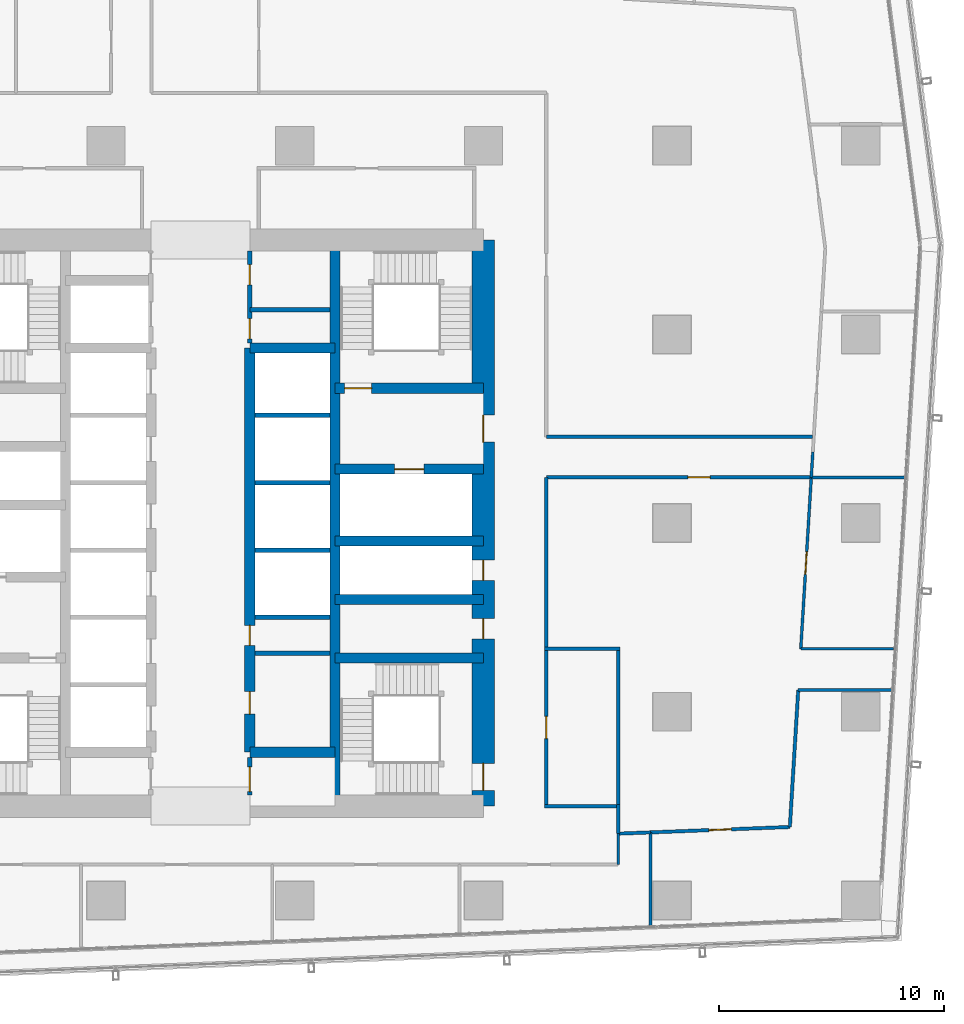
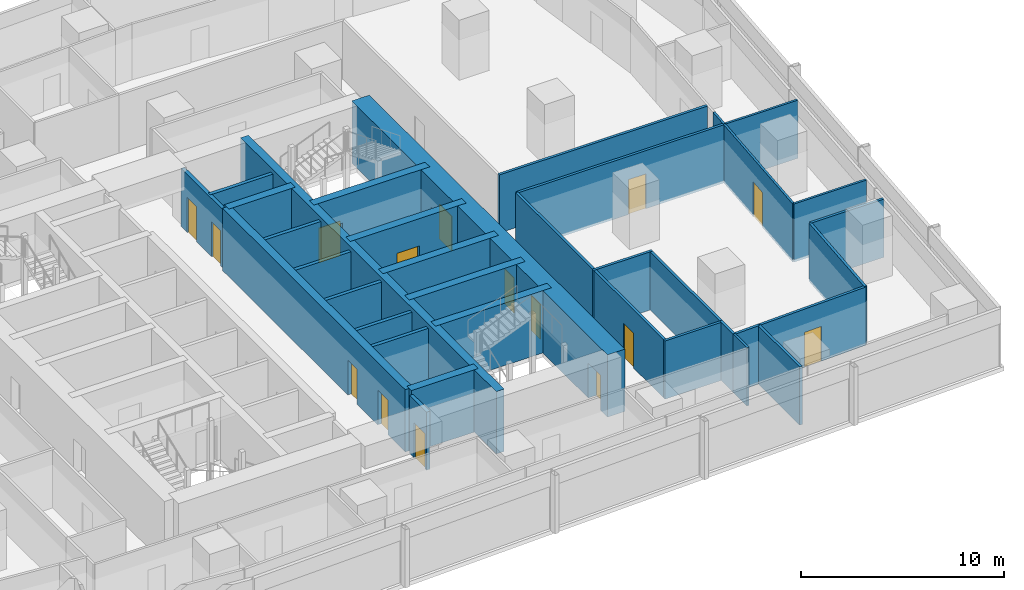
# One storey, part 30 of 40: 36 walls, 15 doors, 15 openings.
"""IFC4 building model written with IfcOpenShell, lengths in metres."""

from ifc_helpers import new_model, si_unit, direction, frame, frame_2d, origin, place, context, subcontext, project, spatial, rectangle, extrude, material, layer, layer_set, type_object, element, fill, save


model = new_model("IFC4")

# Units and contexts
model_context = context("Model", 3, precision=1e-05, world=origin(), true_north=direction((0.0, 1.0)))
body_context = subcontext(model_context, "Body", "Model", "MODEL_VIEW")
ifc_project = project(units=[si_unit("LENGTHUNIT", "METRE"), si_unit("AREAUNIT", "SQUARE_METRE"), si_unit("VOLUMEUNIT", "CUBIC_METRE"), si_unit("PLANEANGLEUNIT", "RADIAN"), si_unit("MASSUNIT", "GRAM", prefix="KILO")], contexts=[model_context])

# Site, building, storey
site_placement = place(None, origin())
site = spatial("IfcSite", under=ifc_project, at=site_placement, CompositionType="ELEMENT")
building_placement = place(site_placement, origin())
building = spatial("IfcBuilding", under=site, at=building_placement, Name="Rekha Terrace Tower", CompositionType="ELEMENT")
storey_placement = place(building_placement, frame((0.0, 0.0, 121.550048828125)))
storey = spatial("IfcBuildingStorey", under=building, at=storey_placement, Name="L30", CompositionType="ELEMENT", Elevation=121.550048828125)

# Wall
ifc_material_1 = material(Name="Concrete M70", Category="concrete")
ifc_layer_1 = layer(ifc_material_1, 0.449951171875)
ifc_layer_set_1 = layer_set([ifc_layer_1], Name="Concrete M70")
wall_type_1 = type_object("IfcWallType", Name="CI2 450 core internal shear wall", PredefinedType="SHEAR", material=ifc_layer_set_1)
wall_1_placement = place(storey_placement, frame((43.800048828125, 21.0, 0.0), z_axis=(0.0, 0.0, 1.0), x_axis=(0.0, 1.0, 0.0)))
element("IfcWall", 1, at=wall_1_placement, inside=storey, type_object=wall_type_1, Name="Core wall X438 L30", PredefinedType="SHEAR", context=body_context, shape_type="SweptSolid", body=[
    extrude(rectangle(XDim=25.199951171875, YDim=0.449951171875, at=frame_2d((12.60009765625, 0.0))), origin(), (0.0, 0.0, 1.0), 3.75),
])

# Wall, openings, doors
wall_2_placement = place(storey_placement, frame((40.0, 23.39990234375, 0.0), z_axis=(0.0, 0.0, 1.0), x_axis=(0.0, 1.0, 0.0)))
wall_2 = element("IfcWall", 2, at=wall_2_placement, inside=storey, type_object=wall_type_1, Name="Core wall X400 L30", PredefinedType="SHEAR", context=body_context, shape_type="SweptSolid", body=[
    extrude(rectangle(XDim=18.0, YDim=0.449951171875, at=frame_2d((9.0, 0.0))), origin(), (0.0, 0.0, 1.0), 3.75),
])
opening_1_placement = place(wall_2_placement, frame((1.699951171875, 0.0, 0.0)))
opening_1 = element("IfcOpeningElement", 3, at=opening_1_placement, cuts=wall_2, Name="Opening D3", PredefinedType="OPENING", context=body_context, shape_type="SweptSolid", body=[
    extrude(rectangle(XDim=1.0, YDim=2.10009765625, at=frame_2d((0.5, 1.050048828125))), frame((0.0, 0.23486328125, 0.0), z_axis=(0.0, -1.0, 0.0), x_axis=(1.0, 0.0, 0.0)), (0.0, 0.0, 1.0), 0.469970703125),
])
opening_2_placement = place(wall_2_placement, frame((4.75, 0.0, 0.0)))
opening_2 = element("IfcOpeningElement", 4, at=opening_2_placement, cuts=wall_2, Name="Opening D5", PredefinedType="OPENING", context=body_context, shape_type="SweptSolid", body=[
    extrude(rectangle(XDim=0.89990234375, YDim=2.10009765625, at=frame_2d((0.449951171875, 1.050048828125))), frame((0.0, 0.23486328125, 0.0), z_axis=(0.0, -1.0, 0.0), x_axis=(1.0, 0.0, 0.0)), (0.0, 0.0, 1.0), 0.469970703125),
])
ifc_material_2 = material(Name="Laminated timber fire door", Category="wood")
door_type_1 = type_object("IfcDoorType", Name="D3 1000x2100 WC door", OperationType="SINGLE_SWING_LEFT", PredefinedType="DOOR", material=ifc_material_2)
door_1_placement = place(opening_1_placement, origin())
door_1 = element("IfcDoor", 5, at=door_1_placement, inside=storey, type_object=door_type_1, Name="Door staff wc L30", OperationType="SINGLE_SWING_LEFT", OverallHeight=2.10009765625, OverallWidth=1.0, PredefinedType="DOOR", context=body_context, shape_type="SweptSolid", body=[
    extrude(rectangle(XDim=1.0, YDim=2.10009765625, at=frame_2d((0.5, 1.050048828125))), frame((0.0, 0.02490234375, 0.0), z_axis=(0.0, -1.0, 0.0), x_axis=(1.0, 0.0, 0.0)), (0.0, 0.0, 1.0), 0.050048828125),
])
fill(opening_1, door_1)
ifc_material_3 = material(Name="Steel fire door", Category="steel")
door_type_2 = type_object("IfcDoorType", Name="D5 900x2100 riser access door", OperationType="SINGLE_SWING_LEFT", PredefinedType="DOOR", material=ifc_material_3)
door_2_placement = place(opening_2_placement, origin())
door_2 = element("IfcDoor", 6, at=door_2_placement, inside=storey, type_object=door_type_2, Name="Door records store L30", OperationType="SINGLE_SWING_LEFT", OverallHeight=2.10009765625, OverallWidth=0.89990234375, PredefinedType="DOOR", context=body_context, shape_type="SweptSolid", body=[
    extrude(rectangle(XDim=0.89990234375, YDim=2.10009765625, at=frame_2d((0.449951171875, 1.050048828125))), frame((0.0, 0.02490234375, 0.0), z_axis=(0.0, -1.0, 0.0), x_axis=(1.0, 0.0, 0.0)), (0.0, 0.0, 1.0), 0.050048828125),
])
fill(opening_2, door_2)

# Walls
for number, where, z_axis, x_axis, name in (
    (7, (40.0, 23.39990234375, 0.0), (0.0, 0.0, 1.0), (1.0, 0.0, 0.0), "Core wall Y234E L30"),
    (8, (40.0, 41.39990234375, 0.0), (0.0, 0.0, 1.0), (1.0, 0.0, 0.0), "Core wall Y414E L30"),
):
    element("IfcWall", number, at=place(storey_placement, frame(where, z_axis=z_axis, x_axis=x_axis)), inside=storey, type_object=wall_type_1, Name=name, PredefinedType="SHEAR", context=body_context, shape_type="SweptSolid", body=[
        extrude(rectangle(XDim=3.800048828125, YDim=0.449951171875, at=frame_2d((1.89990234375, 0.0))), origin(), (0.0, 0.0, 1.0), 3.75),
    ])
for number, where, z_axis, x_axis, name in (
    (9, (43.800048828125, 27.60009765625, 0.0), (0.0, 0.0, 1.0), (1.0, 0.0, 0.0), "Core wall Y276E L30"),
    (10, (43.800048828125, 30.199951171875, 0.0), (0.0, 0.0, 1.0), (1.0, 0.0, 0.0), "Core wall Y302E L30"),
    (11, (43.800048828125, 32.800048828125, 0.0), (0.0, 0.0, 1.0), (1.0, 0.0, 0.0), "Core wall Y328E L30"),
):
    element("IfcWall", number, at=place(storey_placement, frame(where, z_axis=z_axis, x_axis=x_axis)), inside=storey, type_object=wall_type_1, Name=name, PredefinedType="SHEAR", context=body_context, shape_type="SweptSolid", body=[
        extrude(rectangle(XDim=6.599853515625, YDim=0.449951171875, at=frame_2d((3.2998046875, 0.0))), origin(), (0.0, 0.0, 1.0), 3.75),
    ])

# Wall, opening, door
wall_3_placement = place(storey_placement, frame((43.800048828125, 36.0, 0.0), z_axis=(0.0, 0.0, 1.0), x_axis=(1.0, 0.0, 0.0)))
wall_3 = element("IfcWall", 12, at=wall_3_placement, inside=storey, type_object=wall_type_1, Name="Core wall Y360E L30", PredefinedType="SHEAR", context=body_context, shape_type="SweptSolid", body=[
    extrude(rectangle(XDim=6.599853515625, YDim=0.449951171875, at=frame_2d((3.2998046875, 0.0))), origin(), (0.0, 0.0, 1.0), 3.75),
])
opening_3_placement = place(wall_3_placement, frame((2.64990234375, 0.0, 0.0)))
opening_3 = element("IfcOpeningElement", 13, at=opening_3_placement, cuts=wall_3, Name="Opening LD2", PredefinedType="OPENING", context=body_context, shape_type="SweptSolid", body=[
    extrude(rectangle(XDim=1.300048828125, YDim=2.10009765625, at=frame_2d((0.64990234375, 1.050048828125))), frame((0.0, 0.23486328125, 0.0), z_axis=(0.0, -1.0, 0.0), x_axis=(1.0, 0.0, 0.0)), (0.0, 0.0, 1.0), 0.469970703125),
])
ifc_material_4 = material(Name="Stainless steel sliding landing door", Category="steel")
door_type_3 = type_object("IfcDoorType", Name="LD2 1300x2100 fire lift landing door", OperationType="SLIDING_TO_LEFT", PredefinedType="USERDEFINED", material=ifc_material_4)
door_3_placement = place(opening_3_placement, origin())
door_3 = element("IfcDoor", 14, at=door_3_placement, inside=storey, type_object=door_type_3, Name="Lift FL2 landing door L30", ObjectType="LIFT LANDING DOOR", OperationType="SLIDING_TO_LEFT", OverallHeight=2.10009765625, OverallWidth=1.300048828125, PredefinedType="USERDEFINED", context=body_context, shape_type="SweptSolid", body=[
    extrude(rectangle(XDim=1.300048828125, YDim=2.10009765625, at=frame_2d((0.64990234375, 1.050048828125))), frame((0.0, 0.02490234375, 0.0), z_axis=(0.0, -1.0, 0.0), x_axis=(1.0, 0.0, 0.0)), (0.0, 0.0, 1.0), 0.050048828125),
])
fill(opening_3, door_3)

wall_4_placement = place(storey_placement, frame((43.800048828125, 39.60009765625, 0.0), z_axis=(0.0, 0.0, 1.0), x_axis=(1.0, 0.0, 0.0)))
wall_4 = element("IfcWall", 15, at=wall_4_placement, inside=storey, type_object=wall_type_1, Name="Core wall Y396E L30", PredefinedType="SHEAR", context=body_context, shape_type="SweptSolid", body=[
    extrude(rectangle(XDim=6.599853515625, YDim=0.449951171875, at=frame_2d((3.2998046875, 0.0))), origin(), (0.0, 0.0, 1.0), 3.75),
])
opening_4_placement = place(wall_4_placement, frame((0.425048828125, 0.0, 0.0)))
opening_4 = element("IfcOpeningElement", 16, at=opening_4_placement, cuts=wall_4, Name="Opening D1", PredefinedType="OPENING", context=body_context, shape_type="SweptSolid", body=[
    extrude(rectangle(XDim=1.199951171875, YDim=2.10009765625, at=frame_2d((0.60009765625, 1.050048828125))), frame((0.0, 0.23486328125, 0.0), z_axis=(0.0, -1.0, 0.0), x_axis=(1.0, 0.0, 0.0)), (0.0, 0.0, 1.0), 0.469970703125),
])
door_type_4 = type_object("IfcDoorType", Name="D1 1200x2100 stair fire door", OperationType="SINGLE_SWING_RIGHT", PredefinedType="DOOR", material=ifc_material_3)
door_4_placement = place(opening_4_placement, origin())
door_4 = element("IfcDoor", 17, at=door_4_placement, inside=storey, type_object=door_type_4, Name="Stair ST2 door L30", OperationType="SINGLE_SWING_RIGHT", OverallHeight=2.10009765625, OverallWidth=1.199951171875, PredefinedType="DOOR", context=body_context, shape_type="SweptSolid", body=[
    extrude(rectangle(XDim=1.199951171875, YDim=2.10009765625, at=frame_2d((0.60009765625, 1.050048828125))), frame((0.0, 0.02490234375, 0.0), z_axis=(0.0, -1.0, 0.0), x_axis=(1.0, 0.0, 0.0)), (0.0, 0.0, 1.0), 0.050048828125),
])
fill(opening_4, door_4)

# Wall, openings, doors
ifc_layer_2 = layer(ifc_material_1, 1.0)
ifc_layer_set_2 = layer_set([ifc_layer_2], Name="Concrete M70")
wall_type_2 = type_object("IfcWallType", Name="SW2 1000 core outer shear wall", PredefinedType="SHEAR", material=ifc_layer_set_2)
wall_5_placement = place(storey_placement, frame((50.39990234375, 21.0, 0.0), z_axis=(0.0, 0.0, 1.0), x_axis=(0.0, 1.0, 0.0)))
wall_5 = element("IfcWall", 18, at=wall_5_placement, inside=storey, type_object=wall_type_2, Name="Core wall E L30", PredefinedType="SHEAR", context=body_context, shape_type="SweptSolid", body=[
    extrude(rectangle(XDim=25.199951171875, YDim=1.0, at=frame_2d((12.60009765625, 0.0))), origin(), (0.0, 0.0, 1.0), 3.75),
])
opening_5_placement = place(wall_5_placement, frame((16.199951171875, 0.0, 0.0)))
opening_5 = element("IfcOpeningElement", 19, at=opening_5_placement, cuts=wall_5, Name="Opening D2", PredefinedType="OPENING", context=body_context, shape_type="SweptSolid", body=[
    extrude(rectangle(XDim=1.199951171875, YDim=2.10009765625, at=frame_2d((0.60009765625, 1.050048828125))), frame((0.0, 0.510009765625, 0.0), z_axis=(0.0, -1.0, 0.0), x_axis=(1.0, 0.0, 0.0)), (0.0, 0.0, 1.0), 1.02001953125),
])
opening_6_placement = place(wall_5_placement, frame((10.050048828125, 0.0, 0.0)))
opening_6 = element("IfcOpeningElement", 20, at=opening_6_placement, cuts=wall_5, Name="Opening D5", PredefinedType="OPENING", context=body_context, shape_type="SweptSolid", body=[
    extrude(rectangle(XDim=0.89990234375, YDim=2.10009765625, at=frame_2d((0.449951171875, 1.050048828125))), frame((0.0, 0.510009765625, 0.0), z_axis=(0.0, -1.0, 0.0), x_axis=(1.0, 0.0, 0.0)), (0.0, 0.0, 1.0), 1.02001953125),
])
opening_7_placement = place(wall_5_placement, frame((7.449951171875, 0.0, 0.0)))
opening_7 = element("IfcOpeningElement", 21, at=opening_7_placement, cuts=wall_5, Name="Opening D5", PredefinedType="OPENING", context=body_context, shape_type="SweptSolid", body=[
    extrude(rectangle(XDim=0.89990234375, YDim=2.10009765625, at=frame_2d((0.449951171875, 1.050048828125))), frame((0.0, 0.510009765625, 0.0), z_axis=(0.0, -1.0, 0.0), x_axis=(1.0, 0.0, 0.0)), (0.0, 0.0, 1.0), 1.02001953125),
])
opening_8_placement = place(wall_5_placement, frame((0.699951171875, 0.0, 0.0)))
opening_8 = element("IfcOpeningElement", 22, at=opening_8_placement, cuts=wall_5, Name="Opening D1", PredefinedType="OPENING", context=body_context, shape_type="SweptSolid", body=[
    extrude(rectangle(XDim=1.199951171875, YDim=2.10009765625, at=frame_2d((0.60009765625, 1.050048828125))), frame((0.0, 0.510009765625, 0.0), z_axis=(0.0, -1.0, 0.0), x_axis=(1.0, 0.0, 0.0)), (0.0, 0.0, 1.0), 1.02001953125),
])
door_5_placement = place(opening_8_placement, origin())
door_5 = element("IfcDoor", 23, at=door_5_placement, inside=storey, type_object=door_type_4, Name="Stair ST3 door L30", OperationType="SINGLE_SWING_RIGHT", OverallHeight=2.10009765625, OverallWidth=1.199951171875, PredefinedType="DOOR", context=body_context, shape_type="SweptSolid", body=[
    extrude(rectangle(XDim=1.199951171875, YDim=2.10009765625, at=frame_2d((0.60009765625, 1.050048828125))), frame((0.0, 0.02490234375, 0.0), z_axis=(0.0, -1.0, 0.0), x_axis=(1.0, 0.0, 0.0)), (0.0, 0.0, 1.0), 0.050048828125),
])
fill(opening_8, door_5)
door_type_5 = type_object("IfcDoorType", Name="D2 1200x2100 firefighting lobby door", OperationType="SINGLE_SWING_LEFT", PredefinedType="DOOR", material=ifc_material_3)
door_6_placement = place(opening_5_placement, origin())
door_6 = element("IfcDoor", 24, at=door_6_placement, inside=storey, type_object=door_type_5, Name="Door flb2 L30", OperationType="SINGLE_SWING_LEFT", OverallHeight=2.10009765625, OverallWidth=1.199951171875, PredefinedType="DOOR", context=body_context, shape_type="SweptSolid", body=[
    extrude(rectangle(XDim=1.199951171875, YDim=2.10009765625, at=frame_2d((0.60009765625, 1.050048828125))), frame((0.0, 0.02490234375, 0.0), z_axis=(0.0, -1.0, 0.0), x_axis=(1.0, 0.0, 0.0)), (0.0, 0.0, 1.0), 0.050048828125),
])
fill(opening_5, door_6)
door_7_placement = place(opening_6_placement, origin())
door_7 = element("IfcDoor", 25, at=door_7_placement, inside=storey, type_object=door_type_2, Name="Door rs2 L30", OperationType="SINGLE_SWING_LEFT", OverallHeight=2.10009765625, OverallWidth=0.89990234375, PredefinedType="DOOR", context=body_context, shape_type="SweptSolid", body=[
    extrude(rectangle(XDim=0.89990234375, YDim=2.10009765625, at=frame_2d((0.449951171875, 1.050048828125))), frame((0.0, 0.02490234375, 0.0), z_axis=(0.0, -1.0, 0.0), x_axis=(1.0, 0.0, 0.0)), (0.0, 0.0, 1.0), 0.050048828125),
])
fill(opening_6, door_7)
door_8_placement = place(opening_7_placement, origin())
door_8 = element("IfcDoor", 26, at=door_8_placement, inside=storey, type_object=door_type_2, Name="Door ele L30", OperationType="SINGLE_SWING_LEFT", OverallHeight=2.10009765625, OverallWidth=0.89990234375, PredefinedType="DOOR", context=body_context, shape_type="SweptSolid", body=[
    extrude(rectangle(XDim=0.89990234375, YDim=2.10009765625, at=frame_2d((0.449951171875, 1.050048828125))), frame((0.0, 0.02490234375, 0.0), z_axis=(0.0, -1.0, 0.0), x_axis=(1.0, 0.0, 0.0)), (0.0, 0.0, 1.0), 0.050048828125),
])
fill(opening_7, door_8)

# Walls
ifc_material_5 = material(Name="Concrete block masonry, 1 hour", Category="masonry")
ifc_layer_3 = layer(ifc_material_5, 0.14990234375)
ifc_layer_set_3 = layer_set([ifc_layer_3], Name="Concrete block masonry, 1 hour")
wall_type_3 = type_object("IfcWallType", Name="WP2 150 tenancy partition", PredefinedType="PARTITIONING", material=ifc_layer_set_3)
for number, where, z_axis, x_axis, name in (
    (27, (53.125, 21.0, 0.0), (0.0, 0.0, 1.0), (1.0, 0.0, 0.0), "Men's WC wall L30"),
    (28, (53.125, 28.0, 0.0), (0.0, 0.0, 1.0), (1.0, 0.0, 0.0), "Men's WC wall L30"),
):
    element("IfcWall", number, at=place(storey_placement, frame(where, z_axis=z_axis, x_axis=x_axis)), inside=storey, type_object=wall_type_3, Name=name, PredefinedType="PARTITIONING", context=body_context, shape_type="SweptSolid", body=[
        extrude(rectangle(XDim=3.35009765625, YDim=0.14990234375, at=frame_2d((1.675048828125, 0.0))), origin(), (0.0, 0.0, 1.0), 3.5),
    ])

# Wall, opening, door
wall_6_placement = place(storey_placement, frame((53.199951171875, 21.074951171875, 0.0), z_axis=(0.0, 0.0, 1.0), x_axis=(0.0, 1.0, 0.0)))
wall_6 = element("IfcWall", 29, at=wall_6_placement, inside=storey, type_object=wall_type_3, Name="Men's WC wall L30", PredefinedType="PARTITIONING", context=body_context, shape_type="SweptSolid", body=[
    extrude(rectangle(XDim=6.85009765625, YDim=0.14990234375, at=frame_2d((3.425048828125, 0.0))), origin(), (0.0, 0.0, 1.0), 3.5),
])
opening_9_placement = place(wall_6_placement, frame((2.925048828125, 0.0, 0.0)))
opening_9 = element("IfcOpeningElement", 30, at=opening_9_placement, cuts=wall_6, Name="Opening D3", PredefinedType="OPENING", context=body_context, shape_type="SweptSolid", body=[
    extrude(rectangle(XDim=1.0, YDim=2.10009765625, at=frame_2d((0.5, 1.050048828125))), frame((0.0, 0.0849609375, 0.0), z_axis=(0.0, -1.0, 0.0), x_axis=(1.0, 0.0, 0.0)), (0.0, 0.0, 1.0), 0.169921875),
])
door_9_placement = place(opening_9_placement, origin())
door_9 = element("IfcDoor", 31, at=door_9_placement, inside=storey, type_object=door_type_1, Name="Door men's wc L30", OperationType="SINGLE_SWING_LEFT", OverallHeight=2.10009765625, OverallWidth=1.0, PredefinedType="DOOR", context=body_context, shape_type="SweptSolid", body=[
    extrude(rectangle(XDim=1.0, YDim=2.10009765625, at=frame_2d((0.5, 1.050048828125))), frame((0.0, 0.02490234375, 0.0), z_axis=(0.0, -1.0, 0.0), x_axis=(1.0, 0.0, 0.0)), (0.0, 0.0, 1.0), 0.050048828125),
])
fill(opening_9, door_9)

# Walls
wall_7_placement = place(storey_placement, frame((56.39990234375, 21.074951171875, 0.0), z_axis=(0.0, 0.0, 1.0), x_axis=(0.0, 1.0, 0.0)))
element("IfcWall", 32, at=wall_7_placement, inside=storey, type_object=wall_type_3, Name="Men's WC wall L30", PredefinedType="PARTITIONING", context=body_context, shape_type="SweptSolid", body=[
    extrude(rectangle(XDim=6.85009765625, YDim=0.14990234375, at=frame_2d((3.425048828125, 0.0))), origin(), (0.0, 0.0, 1.0), 3.5),
])
wall_8_placement = place(storey_placement, frame((65.04296875, 37.43701171875, 0.0), z_axis=(0.0, 0.0, 1.0), x_axis=(-1.0, 0.0, 0.0)))
element("IfcWall", 33, at=wall_8_placement, inside=storey, type_object=wall_type_3, Name="Partition L30-O1", PredefinedType="PARTITIONING", context=body_context, shape_type="SweptSolid", body=[
    extrude(rectangle(XDim=11.843017578125, YDim=0.14990234375, at=frame_2d((5.92138671875, 0.0))), origin(), (0.0, 0.0, 1.0), 3.5),
])
wall_9_placement = place(storey_placement, frame((53.199951171875, 28.074951171875, 0.0), z_axis=(0.0, 0.0, 1.0), x_axis=(0.0, 1.0, 0.0)))
element("IfcWall", 34, at=wall_9_placement, inside=storey, type_object=wall_type_3, Name="Partition L30-O1b", PredefinedType="PARTITIONING", context=body_context, shape_type="SweptSolid", body=[
    extrude(rectangle(XDim=7.56201171875, YDim=0.14990234375, at=frame_2d((3.781005859375, 0.0))), origin(), (0.0, 0.0, 1.0), 3.5),
])

# Wall, opening, door
wall_10_placement = place(storey_placement, frame((53.199951171875, 35.636962890625, 0.0), z_axis=(0.0, 0.0, 1.0), x_axis=(1.0, 0.0, 0.0)))
wall_10 = element("IfcWall", 35, at=wall_10_placement, inside=storey, type_object=wall_type_3, Name="Partition L30-O1b", PredefinedType="PARTITIONING", context=body_context, shape_type="SweptSolid", body=[
    extrude(rectangle(XDim=11.74609375, YDim=0.14990234375, at=frame_2d((5.873046875, 0.0))), origin(), (0.0, 0.0, 1.0), 3.5),
])
opening_10_placement = place(wall_10_placement, frame((6.297119140625, 0.0, 0.0)))
opening_10 = element("IfcOpeningElement", 36, at=opening_10_placement, cuts=wall_10, Name="Opening D9", PredefinedType="OPENING", context=body_context, shape_type="SweptSolid", body=[
    extrude(rectangle(XDim=1.0, YDim=2.10009765625, at=frame_2d((0.5, 1.050048828125))), frame((0.0, 0.0849609375, 0.0), z_axis=(0.0, -1.0, 0.0), x_axis=(1.0, 0.0, 0.0)), (0.0, 0.0, 1.0), 0.169921875),
])
ifc_material_6 = material(Name="Timber fire door", Category="wood")
door_type_6 = type_object("IfcDoorType", Name="D9 1000x2100 office door", OperationType="SINGLE_SWING_LEFT", PredefinedType="DOOR", material=ifc_material_6)
door_10_placement = place(opening_10_placement, origin())
door_10 = element("IfcDoor", 37, at=door_10_placement, inside=storey, type_object=door_type_6, Name="Door open-plan office L30", OperationType="SINGLE_SWING_LEFT", OverallHeight=2.10009765625, OverallWidth=1.0, PredefinedType="DOOR", context=body_context, shape_type="SweptSolid", body=[
    extrude(rectangle(XDim=1.0, YDim=2.10009765625, at=frame_2d((0.5, 1.050048828125))), frame((0.0, 0.02490234375, 0.0), z_axis=(0.0, -1.0, 0.0), x_axis=(1.0, 0.0, 0.0)), (0.0, 0.0, 1.0), 0.050048828125),
])
fill(opening_10, door_10)

# Walls
wall_11_placement = place(storey_placement, frame((68.572021484375, 26.166015625, 0.0), z_axis=(0.0, 0.0, 1.0), x_axis=(-1.0, 0.0, 0.0)))
element("IfcWall", 38, at=wall_11_placement, inside=storey, type_object=wall_type_3, Name="Partition L30-O1b", PredefinedType="PARTITIONING", context=body_context, shape_type="SweptSolid", body=[
    extrude(rectangle(XDim=4.156982421875, YDim=0.14990234375, at=frame_2d((2.07861328125, 0.0))), origin(), (0.0, 0.0, 1.0), 3.5),
])
wall_12_placement = place(storey_placement, frame((64.4150390625, 26.166015625, 0.0), z_axis=(0.0, 0.0, 1.0), x_axis=(-0.061250692479, -0.99812241367, 0.0)))
element("IfcWall", 39, at=wall_12_placement, inside=storey, type_object=wall_type_3, Name="Partition L30-O1b", PredefinedType="PARTITIONING", context=body_context, shape_type="SweptSolid", body=[
    extrude(rectangle(XDim=6.1064453125, YDim=0.14990234375, at=frame_2d((3.05322265625, 0.0))), origin(), (0.0, 0.0, 1.0), 3.5),
])

# Wall, opening, door
wall_13_placement = place(storey_placement, frame((64.041015625, 20.071044921875, 0.0), z_axis=(0.0, 0.0, 1.0), x_axis=(-0.999246582692, -0.038810655482, 0.0)))
wall_13 = element("IfcWall", 40, at=wall_13_placement, inside=storey, type_object=wall_type_3, Name="Partition L30-O1b", PredefinedType="PARTITIONING", context=body_context, shape_type="SweptSolid", body=[
    extrude(rectangle(XDim=6.208740234375, YDim=0.14990234375, at=frame_2d((3.1044921875, 0.0))), origin(), (0.0, 0.0, 1.0), 3.5),
])
opening_11_placement = place(wall_13_placement, frame((2.60400390625, 0.0, 0.0)))
opening_11 = element("IfcOpeningElement", 41, at=opening_11_placement, cuts=wall_13, Name="Opening D9", PredefinedType="OPENING", context=body_context, shape_type="SweptSolid", body=[
    extrude(rectangle(XDim=1.0, YDim=2.10009765625, at=frame_2d((0.5, 1.050048828125))), frame((0.0, 0.0849609375, 0.0), z_axis=(0.0, -1.0, 0.0), x_axis=(1.0, 0.0, 0.0)), (0.0, 0.0, 1.0), 0.169921875),
])
door_11_placement = place(opening_11_placement, origin())
door_11 = element("IfcDoor", 42, at=door_11_placement, inside=storey, type_object=door_type_6, Name="Door director's office L30", OperationType="SINGLE_SWING_LEFT", OverallHeight=2.10009765625, OverallWidth=1.0, PredefinedType="DOOR", context=body_context, shape_type="SweptSolid", body=[
    extrude(rectangle(XDim=1.0, YDim=2.10009765625, at=frame_2d((0.5, 1.050048828125))), frame((0.0, 0.02490234375, 0.0), z_axis=(0.0, -1.0, 0.0), x_axis=(1.0, 0.0, 0.0)), (0.0, 0.0, 1.0), 0.050048828125),
])
fill(opening_11, door_11)

# Walls
wall_14_placement = place(storey_placement, frame((57.8369140625, 19.830078125, 0.0), z_axis=(0.0, 0.0, 1.0), x_axis=(0.0, -1.0, 0.0)))
element("IfcWall", 43, at=wall_14_placement, inside=storey, type_object=wall_type_3, Name="Partition L30-O1b", PredefinedType="PARTITIONING", context=body_context, shape_type="SweptSolid", body=[
    extrude(rectangle(XDim=4.154052734375, YDim=0.14990234375, at=frame_2d((2.0771484375, 0.0))), origin(), (0.0, 0.0, 1.0), 3.5),
])
wall_15_placement = place(storey_placement, frame((57.8359375, 19.830078125, 0.0), z_axis=(0.0, 0.0, 1.0), x_axis=(-0.99923637883, -0.039072486761, 0.0)))
element("IfcWall", 44, at=wall_15_placement, inside=storey, type_object=wall_type_3, Name="Partition L30-O1b", PredefinedType="PARTITIONING", context=body_context, shape_type="SweptSolid", body=[
    extrude(rectangle(XDim=1.43701171875, YDim=0.14990234375, at=frame_2d((0.718505859375, 0.0))), origin(), (0.0, 0.0, 1.0), 3.5),
])
wall_16_placement = place(storey_placement, frame((56.39990234375, 19.77392578125, 0.0), z_axis=(0.0, 0.0, 1.0), x_axis=(0.0, 1.0, 0.0)))
element("IfcWall", 45, at=wall_16_placement, inside=storey, type_object=wall_type_3, Name="Partition L30-O1b", PredefinedType="PARTITIONING", context=body_context, shape_type="SweptSolid", body=[
    extrude(rectangle(XDim=1.301025390625, YDim=0.14990234375, at=frame_2d((0.650390625, 0.0))), origin(), (0.0, 0.0, 1.0), 3.5),
])
ifc_material_7 = material(Name="Two layers of fire-rated gypsum board each side on steel studs, acoustic quilt, 1 hour", Category="steel")
ifc_layer_4 = layer(ifc_material_7, 0.125)
ifc_layer_set_4 = layer_set([ifc_layer_4], Name="Two layers of fire-rated gypsum board each side on steel studs, acoustic quilt, 1 hour")
wall_type_4 = type_object("IfcWallType", Name="WP3 125 office partition", PredefinedType="PARTITIONING", material=ifc_layer_set_4)
wall_17_placement = place(storey_placement, frame((64.9951171875, 35.633056640625, 0.0), z_axis=(0.0, 0.0, 1.0), x_axis=(1.0, 0.0, 0.0)))
element("IfcWall", 46, at=wall_17_placement, inside=storey, type_object=wall_type_4, Name="Partition L30-02", PredefinedType="PARTITIONING", context=body_context, shape_type="SweptSolid", body=[
    extrude(rectangle(XDim=4.156982421875, YDim=0.125, at=frame_2d((2.07861328125, 0.0))), origin(), (0.0, 0.0, 1.0), 3.5),
])
wall_18_placement = place(storey_placement, frame((68.655029296875, 28.0009765625, 0.0), z_axis=(0.0, 0.0, 1.0), x_axis=(-1.0, 0.0, 0.0)))
element("IfcWall", 47, at=wall_18_placement, inside=storey, type_object=wall_type_4, Name="Partition L30-02", PredefinedType="PARTITIONING", context=body_context, shape_type="SweptSolid", body=[
    extrude(rectangle(XDim=4.1279296875, YDim=0.125, at=frame_2d((2.06396484375, 0.0))), origin(), (0.0, 0.0, 1.0), 3.5),
])

# Wall, opening, door
wall_19_placement = place(storey_placement, frame((64.527099609375, 28.0009765625, 0.0), z_axis=(0.0, 0.0, 1.0), x_axis=(0.061207439092, 0.998125067013, 0.0)))
wall_19 = element("IfcWall", 48, at=wall_19_placement, inside=storey, type_object=wall_type_4, Name="Partition L30-02", PredefinedType="PARTITIONING", context=body_context, shape_type="SweptSolid", body=[
    extrude(rectangle(XDim=7.646484375, YDim=0.125, at=frame_2d((3.8232421875, 0.0))), origin(), (0.0, 0.0, 1.0), 3.5),
])
opening_12_placement = place(wall_19_placement, frame((3.322998046875, 0.0, 0.0)))
opening_12 = element("IfcOpeningElement", 49, at=opening_12_placement, cuts=wall_19, Name="Opening D9", PredefinedType="OPENING", context=body_context, shape_type="SweptSolid", body=[
    extrude(rectangle(XDim=1.0, YDim=2.10009765625, at=frame_2d((0.5, 1.050048828125))), frame((0.0, 0.072509765625, 0.0), z_axis=(0.0, -1.0, 0.0), x_axis=(1.0, 0.0, 0.0)), (0.0, 0.0, 1.0), 0.14501953125),
])
door_12_placement = place(opening_12_placement, origin())
door_12 = element("IfcDoor", 50, at=door_12_placement, inside=storey, type_object=door_type_6, Name="Door office L30", OperationType="SINGLE_SWING_LEFT", OverallHeight=2.10009765625, OverallWidth=1.0, PredefinedType="DOOR", context=body_context, shape_type="SweptSolid", body=[
    extrude(rectangle(XDim=1.0, YDim=2.10009765625, at=frame_2d((0.5, 1.050048828125))), frame((0.0, 0.02490234375, 0.0), z_axis=(0.0, -1.0, 0.0), x_axis=(1.0, 0.0, 0.0)), (0.0, 0.0, 1.0), 0.050048828125),
])
fill(opening_12, door_12)

# Walls
wall_20_placement = place(storey_placement, frame((64.9951171875, 35.634033203125, 0.0), z_axis=(0.0, 0.0, 1.0), x_axis=(0.061030858212, 0.998135879701, 0.0)))
element("IfcWall", 51, at=wall_20_placement, inside=storey, type_object=wall_type_4, Name="Partition L30-03", PredefinedType="PARTITIONING", context=body_context, shape_type="SweptSolid", body=[
    extrude(rectangle(XDim=1.128173828125, YDim=0.125, at=frame_2d((0.56396484375, 0.0))), origin(), (0.0, 0.0, 1.0), 3.5),
])
wall_21_placement = place(storey_placement, frame((56.39990234375, 18.39990234375, 0.0), z_axis=(0.0, 0.0, 1.0), x_axis=(0.0, 1.0, 0.0)))
element("IfcWall", 52, at=wall_21_placement, inside=storey, type_object=wall_type_4, Name="Partition L30-17", PredefinedType="PARTITIONING", context=body_context, shape_type="SweptSolid", body=[
    extrude(rectangle(XDim=1.3740234375, YDim=0.125, at=frame_2d((0.68701171875, 0.0))), origin(), (0.0, 0.0, 1.0), 3.5),
])
ifc_material_8 = material(Name="Solid concrete block masonry, 2 hour", Category="masonry")
ifc_layer_5 = layer(ifc_material_8, 0.199951171875)
ifc_layer_set_5 = layer_set([ifc_layer_5], Name="Solid concrete block masonry, 2 hour")
wall_type_5 = type_object("IfcWallType", Name="WS1 200 stair and shaft enclosure", PredefinedType="PARTITIONING", material=ifc_layer_set_5)
for number, where, z_axis, x_axis, name in (
    (53, (40.22509765625, 29.39990234375, 0.0), (0.0, 0.0, 1.0), (1.0, 0.0, 0.0), "Lift shaft divider L30"),
    (54, (40.22509765625, 32.39990234375, 0.0), (0.0, 0.0, 1.0), (1.0, 0.0, 0.0), "Lift shaft divider L30"),
    (55, (40.22509765625, 35.39990234375, 0.0), (0.0, 0.0, 1.0), (1.0, 0.0, 0.0), "Lift shaft divider L30"),
    (56, (40.22509765625, 38.39990234375, 0.0), (0.0, 0.0, 1.0), (1.0, 0.0, 0.0), "Lift shaft divider L30"),
):
    element("IfcWall", number, at=place(storey_placement, frame(where, z_axis=z_axis, x_axis=x_axis)), inside=storey, type_object=wall_type_5, Name=name, PredefinedType="PARTITIONING", context=body_context, shape_type="SweptSolid", body=[
        extrude(rectangle(XDim=3.349853515625, YDim=0.199951171875, at=frame_2d((1.6748046875, 0.0))), origin(), (0.0, 0.0, 1.0), 3.5),
    ])

# Wall, opening, door
wall_22_placement = place(storey_placement, frame((40.0, 21.5, 0.0), z_axis=(0.0, 0.0, 1.0), x_axis=(0.0, 1.0, 0.0)))
wall_22 = element("IfcWall", 57, at=wall_22_placement, inside=storey, type_object=wall_type_5, Name="Core partition wca L30", PredefinedType="PARTITIONING", context=body_context, shape_type="SweptSolid", body=[
    extrude(rectangle(XDim=1.675048828125, YDim=0.199951171875, at=frame_2d((0.83740234375, 0.0))), origin(), (0.0, 0.0, 1.0), 3.5),
])
opening_13_placement = place(wall_22_placement, frame((0.14990234375, 0.0, 0.0)))
opening_13 = element("IfcOpeningElement", 58, at=opening_13_placement, cuts=wall_22, Name="Opening D4", PredefinedType="OPENING", context=body_context, shape_type="SweptSolid", body=[
    extrude(rectangle(XDim=1.10009765625, YDim=2.10009765625, at=frame_2d((0.550048828125, 1.050048828125))), frame((0.0, 0.10986328125, 0.0), z_axis=(0.0, -1.0, 0.0), x_axis=(1.0, 0.0, 0.0)), (0.0, 0.0, 1.0), 0.219970703125),
])
door_type_7 = type_object("IfcDoorType", Name="D4 1100x2100 accessible WC door", OperationType="SLIDING_TO_LEFT", PredefinedType="DOOR", material=ifc_material_2)
door_13_placement = place(opening_13_placement, origin())
door_13 = element("IfcDoor", 59, at=door_13_placement, inside=storey, type_object=door_type_7, Name="Door wca L30", OperationType="SLIDING_TO_LEFT", OverallHeight=2.10009765625, OverallWidth=1.10009765625, PredefinedType="DOOR", context=body_context, shape_type="SweptSolid", body=[
    extrude(rectangle(XDim=1.10009765625, YDim=2.10009765625, at=frame_2d((0.550048828125, 1.050048828125))), frame((0.0, 0.02490234375, 0.0), z_axis=(0.0, -1.0, 0.0), x_axis=(1.0, 0.0, 0.0)), (0.0, 0.0, 1.0), 0.050048828125),
])
fill(opening_13, door_13)

# Wall, openings, doors
wall_23_placement = place(storey_placement, frame((40.0, 41.625, 0.0), z_axis=(0.0, 0.0, 1.0), x_axis=(0.0, 1.0, 0.0)))
wall_23 = element("IfcWall", 60, at=wall_23_placement, inside=storey, type_object=wall_type_5, Name="Core partition elec L30", PredefinedType="PARTITIONING", context=body_context, shape_type="SweptSolid", body=[
    extrude(rectangle(XDim=4.074951171875, YDim=0.199951171875, at=frame_2d((2.03759765625, 0.0))), origin(), (0.0, 0.0, 1.0), 3.5),
])
opening_14_placement = place(wall_23_placement, frame((2.574951171875, 0.0, 0.0)))
opening_14 = element("IfcOpeningElement", 61, at=opening_14_placement, cuts=wall_23, Name="Opening D5", PredefinedType="OPENING", context=body_context, shape_type="SweptSolid", body=[
    extrude(rectangle(XDim=0.89990234375, YDim=2.10009765625, at=frame_2d((0.449951171875, 1.050048828125))), frame((0.0, 0.10986328125, 0.0), z_axis=(0.0, -1.0, 0.0), x_axis=(1.0, 0.0, 0.0)), (0.0, 0.0, 1.0), 0.219970703125),
])
opening_15_placement = place(wall_23_placement, frame((0.175048828125, 0.0, 0.0)))
opening_15 = element("IfcOpeningElement", 62, at=opening_15_placement, cuts=wall_23, Name="Opening D5", PredefinedType="OPENING", context=body_context, shape_type="SweptSolid", body=[
    extrude(rectangle(XDim=0.89990234375, YDim=2.10009765625, at=frame_2d((0.449951171875, 1.050048828125))), frame((0.0, 0.10986328125, 0.0), z_axis=(0.0, -1.0, 0.0), x_axis=(1.0, 0.0, 0.0)), (0.0, 0.0, 1.0), 0.219970703125),
])
door_14_placement = place(opening_14_placement, origin())
door_14 = element("IfcDoor", 63, at=door_14_placement, inside=storey, type_object=door_type_2, Name="Door electrical room L30", OperationType="SINGLE_SWING_LEFT", OverallHeight=2.10009765625, OverallWidth=0.89990234375, PredefinedType="DOOR", context=body_context, shape_type="SweptSolid", body=[
    extrude(rectangle(XDim=0.89990234375, YDim=2.10009765625, at=frame_2d((0.449951171875, 1.050048828125))), frame((0.0, 0.02490234375, 0.0), z_axis=(0.0, -1.0, 0.0), x_axis=(1.0, 0.0, 0.0)), (0.0, 0.0, 1.0), 0.050048828125),
])
fill(opening_14, door_14)
door_15_placement = place(opening_15_placement, origin())
door_15 = element("IfcDoor", 64, at=door_15_placement, inside=storey, type_object=door_type_2, Name="Door mother's room L30", OperationType="SINGLE_SWING_LEFT", OverallHeight=2.10009765625, OverallWidth=0.89990234375, PredefinedType="DOOR", context=body_context, shape_type="SweptSolid", body=[
    extrude(rectangle(XDim=0.89990234375, YDim=2.10009765625, at=frame_2d((0.449951171875, 1.050048828125))), frame((0.0, 0.02490234375, 0.0), z_axis=(0.0, -1.0, 0.0), x_axis=(1.0, 0.0, 0.0)), (0.0, 0.0, 1.0), 0.050048828125),
])
fill(opening_15, door_15)

# Walls
wall_24_placement = place(storey_placement, frame((40.22509765625, 27.800048828125, 0.0), z_axis=(0.0, 0.0, 1.0), x_axis=(1.0, 0.0, 0.0)))
element("IfcWall", 65, at=wall_24_placement, inside=storey, type_object=wall_type_5, Name="Core partition freed shafts L30", PredefinedType="PARTITIONING", context=body_context, shape_type="SweptSolid", body=[
    extrude(rectangle(XDim=3.349853515625, YDim=0.199951171875, at=frame_2d((1.6748046875, 0.0))), origin(), (0.0, 0.0, 1.0), 3.5),
])
wall_25_placement = place(storey_placement, frame((40.0, 43.10009765625, 0.0), z_axis=(0.0, 0.0, 1.0), x_axis=(1.0, 0.0, 0.0)))
element("IfcWall", 66, at=wall_25_placement, inside=storey, type_object=wall_type_5, Name="Core partition elx L30", PredefinedType="PARTITIONING", context=body_context, shape_type="SweptSolid", body=[
    extrude(rectangle(XDim=3.574951171875, YDim=0.199951171875, at=frame_2d((1.78759765625, 0.0))), origin(), (0.0, 0.0, 1.0), 3.5),
])

save(model, "model.ifc")
